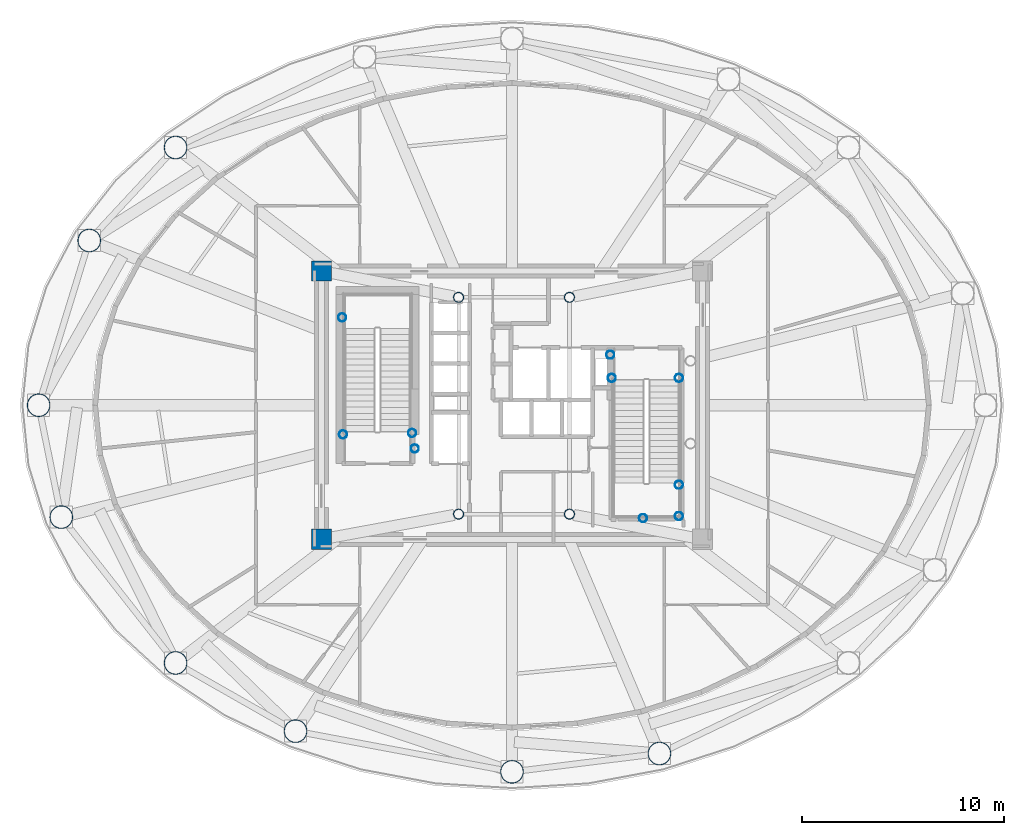
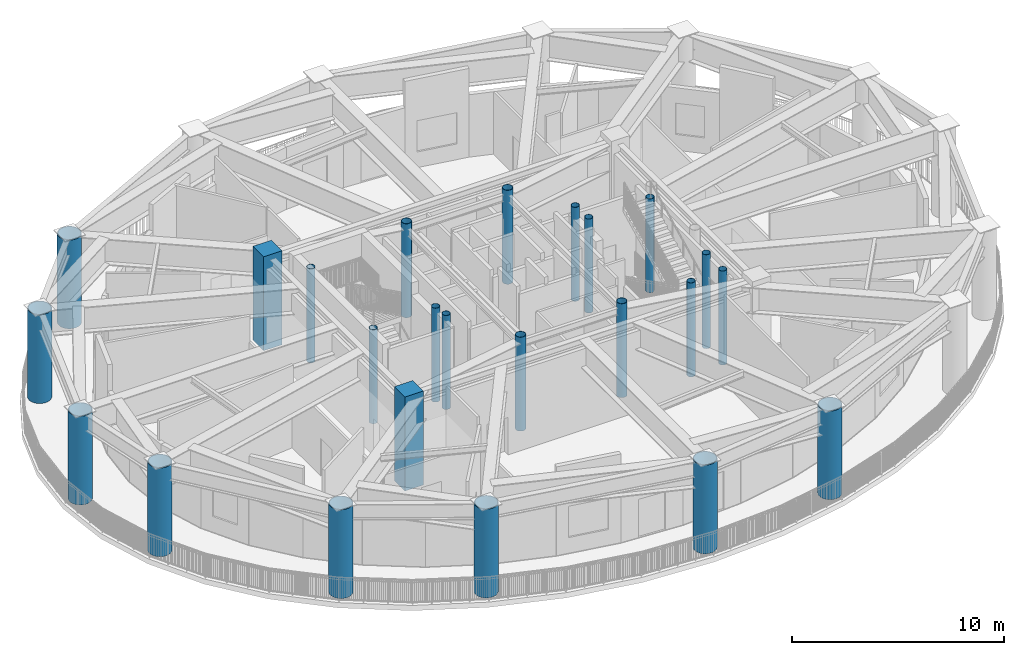
# One storey, part 1 of 14: 24 columns.
"""IFC4 building model written with IfcOpenShell, lengths in metres."""

from ifc_helpers import new_model, si_unit, direction, frame, origin, origin_2d, place, context, subcontext, project, spatial, rectangle, hollow_circle, extrude, material, material_profile, profile_set, type_object, element, save


model = new_model("IFC4")

# Units and contexts
model_context = context("Model", 3, precision=1e-05, world=origin(), true_north=direction((0.0, 1.0)))
body_context = subcontext(model_context, "Body", "Model", "MODEL_VIEW")
ifc_project = project(units=[si_unit("LENGTHUNIT", "METRE"), si_unit("AREAUNIT", "SQUARE_METRE"), si_unit("VOLUMEUNIT", "CUBIC_METRE"), si_unit("PLANEANGLEUNIT", "RADIAN"), si_unit("MASSUNIT", "GRAM", prefix="KILO")], contexts=[model_context])

# Site, building, storey
site_placement = place(None, origin())
site = spatial("IfcSite", under=ifc_project, at=site_placement, CompositionType="ELEMENT")
building_placement = place(site_placement, origin())
building = spatial("IfcBuilding", under=site, at=building_placement, Name="Linh Dai School and Residence Tower", CompositionType="ELEMENT")
storey_placement = place(building_placement, frame((0.0, 0.0, 262.800048828125)))
storey = spatial("IfcBuildingStorey", under=building, at=storey_placement, Name="L65", CompositionType="ELEMENT", Elevation=262.800048828125)

# Columns
ifc_material_1 = material(Name="Concrete B45 (C35/45)", Category="concrete")
ifc_material_profile_1 = material_profile(ifc_material_1, rectangle(XDim=1.0, YDim=1.0, at=origin_2d()), Name="RC 1000x1000")
ifc_profile_set_1 = profile_set([ifc_material_profile_1], Name="Concrete B45 (C35/45)")
column_type_1 = type_object("IfcColumnType", Name="COL-CC3", PredefinedType="COLUMN", material=ifc_profile_set_1)
for number, where, z_axis, x_axis, name in (
    (1, (26.550048828125, 20.35009765625, 0.0), (0.0, 0.0, 1.0), (1.0, 0.0, 0.0), "L65 Core Corner Pier CC1"),
    (2, (26.550048828125, 33.64990234375, 0.0), (0.0, 0.0, 1.0), (1.0, 0.0, 0.0), "L65 Core Corner Pier CC4"),
):
    element("IfcColumn", number, at=place(storey_placement, frame(where, z_axis=z_axis, x_axis=x_axis)), inside=storey, type_object=column_type_1, Name=name, PredefinedType="COLUMN", context=body_context, shape_type="SweptSolid", body=[
        extrude(rectangle(XDim=1.0, YDim=1.0, at=origin_2d()), origin(), (0.0, 0.0, 1.0), 5.39990234375),
    ])
ifc_material_2 = material(Name="Structural Steel S355JR", Category="steel")
ifc_material_profile_2 = material_profile(ifc_material_2, hollow_circle(Radius=0.203125, WallThickness=0.01611328125, at=origin_2d()), Name="CHS 406.4x16")
ifc_profile_set_2 = profile_set([ifc_material_profile_2], Name="Structural Steel S355JR")
column_type_2 = type_object("IfcColumnType", Name="COL-EC", PredefinedType="COLUMN", material=ifc_profile_set_2)
for number, where, z_axis, x_axis, name in (
    (3, (27.580078125, 31.35009765625, 0.0), (0.0, 0.0, 1.0), (1.0, 0.0, 0.0), "L65 Stair Shaft Landing Support Pier ST1NW"),
    (4, (31.050048828125, 25.6201171875, 0.0), (0.0, 0.0, 1.0), (1.0, 0.0, 0.0), "L65 Stair Shaft Landing Support Pier ST1SE"),
    (5, (31.179931640625, 24.85009765625, 0.0), (0.0, 0.0, 1.0), (1.0, 0.0, 0.0), "L65 Stair Shaft Landing Support Pier ST1SM"),
    (6, (27.6201171875, 25.550048828125, 0.0), (0.0, 0.0, 1.0), (1.0, 0.0, 0.0), "L65 Stair Shaft Landing Support Pier ST1SW"),
    (7, (44.280029296875, 21.5, 0.0), (0.0, 0.0, 1.0), (1.0, 0.0, 0.0), "L65 Stair Shaft Landing Support Pier ST2SE"),
    (8, (44.280029296875, 23.050048828125, 0.0), (0.0, 0.0, 1.0), (1.0, 0.0, 0.0), "L65 Stair Shaft Landing Support Pier ST2NE"),
    (9, (42.5, 21.39990234375, 0.0), (0.0, 0.0, 1.0), (1.0, 0.0, 0.0), "L65 Stair Shaft Landing Support Pier ST2MS"),
    (10, (40.949951171875, 28.35009765625, 0.0), (0.0, 0.0, 1.0), (1.0, 0.0, 0.0), "L65 Stair Shaft Landing Support Pier ST2N1"),
    (11, (44.280029296875, 28.35009765625, 0.0), (0.0, 0.0, 1.0), (1.0, 0.0, 0.0), "L65 Stair Shaft Landing Support Pier ST2N2"),
    (12, (40.8798828125, 29.5, 0.0), (0.0, 0.0, 1.0), (1.0, 0.0, 0.0), "L65 Stair Shaft Landing Support Pier ST2N3"),
):
    element("IfcColumn", number, at=place(storey_placement, frame(where, z_axis=z_axis, x_axis=x_axis)), inside=storey, type_object=column_type_2, Name=name, PredefinedType="COLUMN", context=body_context, shape_type="SweptSolid", body=[
        extrude(hollow_circle(Radius=0.203125, WallThickness=0.01611328125, at=origin_2d()), origin(), (0.0, 0.0, 1.0), 5.39990234375),
    ])
ifc_material_profile_3 = material_profile(ifc_material_2, hollow_circle(Radius=0.574951171875, WallThickness=0.035888671875, at=origin_2d()), Name="CHS 1150x36")
ifc_profile_set_3 = profile_set([ifc_material_profile_3], Name="Structural Steel S355JR")
column_type_3 = type_object("IfcColumnType", Name="COL-MC5", PredefinedType="COLUMN", material=ifc_profile_set_3)
for number, where, z_axis, x_axis, name in (
    (13, (19.31689453125, 39.781005859375, 0.0), (0.0, 0.0, 1.0), (1.0, 0.0, 0.0), "L65 Perimeter CFT Mega-Column MC07"),
    (14, (15.03466796875, 35.1689453125, 0.0), (0.0, 0.0, 1.0), (1.0, 0.0, 0.0), "L65 Perimeter CFT Mega-Column MC08"),
    (15, (12.52490234375, 27.0, 0.0), (0.0, 0.0, 1.0), (1.0, 0.0, 0.0), "L65 Perimeter CFT Mega-Column MC09"),
    (16, (13.648681640625, 21.45068359375, 0.0), (0.0, 0.0, 1.0), (1.0, 0.0, 0.0), "L65 Perimeter CFT Mega-Column MC10"),
    (17, (19.31689453125, 14.218994140625, 0.0), (0.0, 0.0, 1.0), (1.0, 0.0, 0.0), "L65 Perimeter CFT Mega-Column MC11"),
    (18, (25.265380859375, 10.83642578125, 0.0), (0.0, 0.0, 1.0), (1.0, 0.0, 0.0), "L65 Perimeter CFT Mega-Column MC12"),
    (19, (36.0, 8.820068359375, 0.0), (0.0, 0.0, 1.0), (1.0, 0.0, 0.0), "L65 Perimeter CFT Mega-Column MC13"),
    (20, (43.31201171875, 9.7265625, 0.0), (0.0, 0.0, 1.0), (1.0, 0.0, 0.0), "L65 Perimeter CFT Mega-Column MC14"),
):
    element("IfcColumn", number, at=place(storey_placement, frame(where, z_axis=z_axis, x_axis=x_axis)), inside=storey, type_object=column_type_3, Name=name, PredefinedType="COLUMN", context=body_context, shape_type="SweptSolid", body=[
        extrude(hollow_circle(Radius=0.574951171875, WallThickness=0.035888671875, at=origin_2d()), origin(), (0.0, 0.0, 1.0), 5.099853515625),
    ])
ifc_material_profile_4 = material_profile(ifc_material_2, hollow_circle(Radius=0.25390625, WallThickness=0.02001953125, at=origin_2d()), Name="CHS 508x20")
ifc_profile_set_4 = profile_set([ifc_material_profile_4], Name="Structural Steel S355JR")
column_type_4 = type_object("IfcColumnType", Name="COL-MCP", PredefinedType="COLUMN", material=ifc_profile_set_4)
for number, where, z_axis, x_axis, name in (
    (21, (33.35009765625, 21.60009765625, 0.0), (0.0, 0.0, 1.0), (1.0, 0.0, 0.0), "L65 Core Mast Support Pier MCP1"),
    (22, (38.85009765625, 21.60009765625, 0.0), (0.0, 0.0, 1.0), (1.0, 0.0, 0.0), "L65 Core Mast Support Pier MCP2"),
    (23, (38.85009765625, 32.35009765625, 0.0), (0.0, 0.0, 1.0), (1.0, 0.0, 0.0), "L65 Core Mast Support Pier MCP3"),
    (24, (33.35009765625, 32.35009765625, 0.0), (0.0, 0.0, 1.0), (1.0, 0.0, 0.0), "L65 Core Mast Support Pier MCP4"),
):
    element("IfcColumn", number, at=place(storey_placement, frame(where, z_axis=z_axis, x_axis=x_axis)), inside=storey, type_object=column_type_4, Name=name, PredefinedType="COLUMN", context=body_context, shape_type="SweptSolid", body=[
        extrude(hollow_circle(Radius=0.25390625, WallThickness=0.02001953125, at=origin_2d()), origin(), (0.0, 0.0, 1.0), 5.39990234375),
    ])

save(model, "model.ifc")
